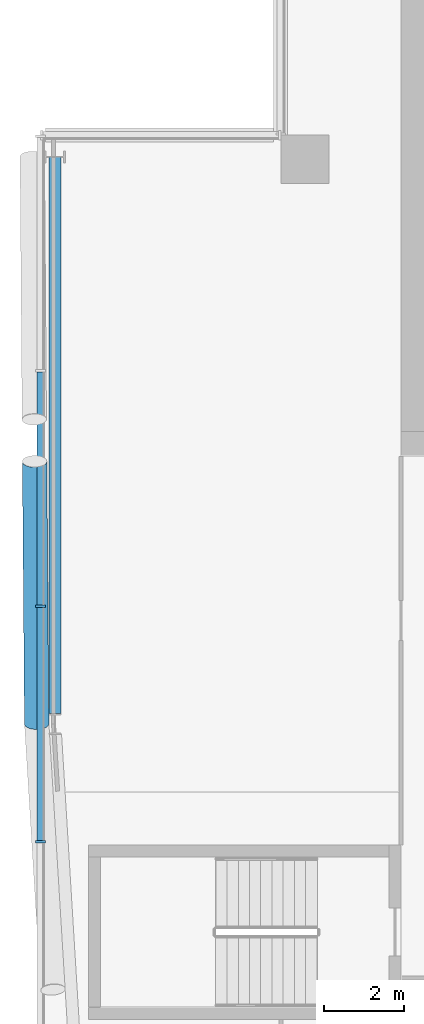
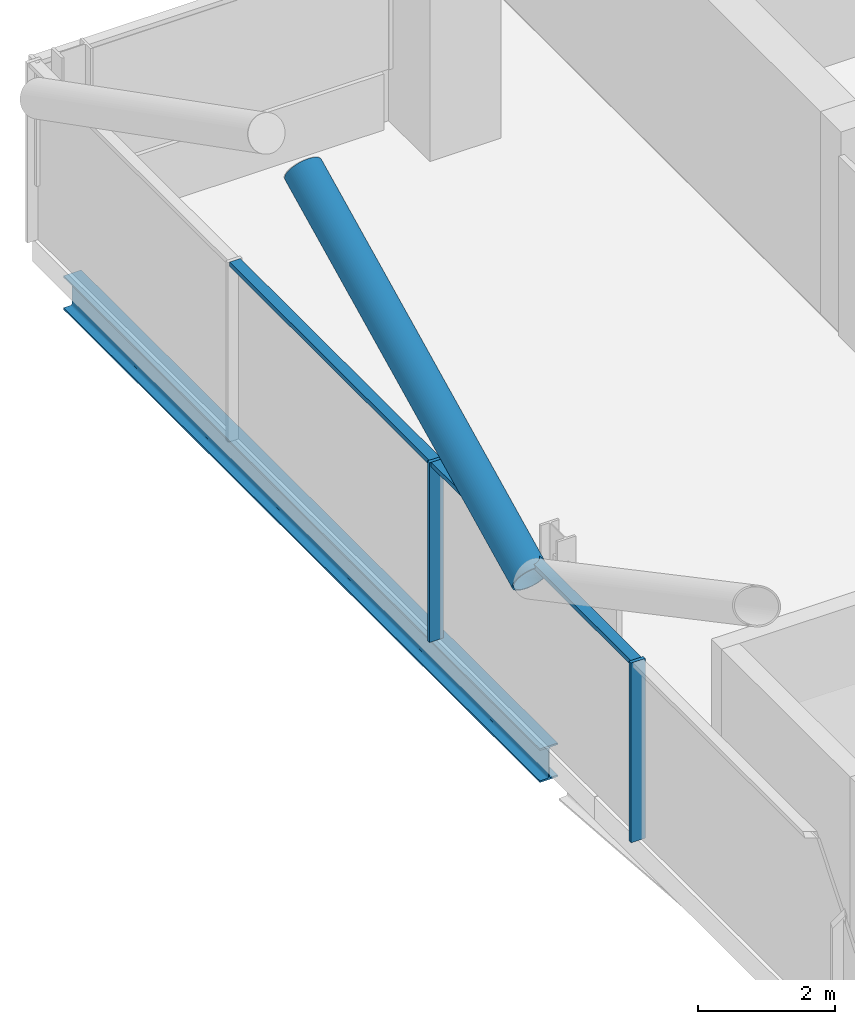
# One storey, part 7 of 25: 5 members, 1 beam, 1 element without a shape of its own.
"""IFC4 building model written with IfcOpenShell, lengths in metres."""

import ifcopenshell
import ifcopenshell.guid

model = None  # the IFC model being written
_history = None  # IfcOwnerHistory: only IFC2X3 demands one
_inside = {}  # id of a spatial element -> (the spatial element, [elements in it])
_under = {}  # id of a project, library or spatial element -> (it, [spatial elements below it])
_declared = {}  # id of a project -> (the project, [libraries it declares])
_typed = {}  # id of a type object -> (the type object, [elements of that type])
_made_of = {}  # id of a material, layer set ... -> (it, [elements and type objects made of it])


def new_model(schema):
    """Start an empty IFC model of exactly this schema.

    Asked for "IFC4X3", IfcOpenShell would pick the latest addendum, in which some entities
    have other attributes; the version numbers below select the first issue.
    IFC2X3 requires an IfcOwnerHistory on every rooted entity: one is made here for all.
    """
    global model, _history
    if schema == "IFC4X3":
        model = ifcopenshell.file(schema_version=(4, 3, 0, 0))
    else:
        model = ifcopenshell.file(schema=schema)
    _inside.clear()
    _under.clear()
    _declared.clear()
    _typed.clear()
    _made_of.clear()
    _history = None
    if model.schema == "IFC2X3":
        org = make("IfcOrganization", Name="unknown")
        user = make(
            "IfcPersonAndOrganization",
            ThePerson=make("IfcPerson", FamilyName="unknown"),
            TheOrganization=org,
        )
        app = make(
            "IfcApplication",
            ApplicationDeveloper=org,
            Version="unknown",
            ApplicationFullName="unknown",
            ApplicationIdentifier="unknown",
        )
        _history = make(
            "IfcOwnerHistory",
            OwningUser=user,
            OwningApplication=app,
            ChangeAction="ADDED",
            CreationDate=0,
        )
    return model


def make(cls, **values):
    """One entity of the class cls with the attributes given. An attribute that is None is left unset."""
    return model.create_entity(
        cls, **{name: value for name, value in values.items() if value is not None}
    )


def rooted(cls, **values):
    """An entity with a GlobalId (a new one), such as an element, a storey or a relation."""
    return make(cls, GlobalId=ifcopenshell.guid.new(), OwnerHistory=_history, **values)


def si_unit(unit_type, name, prefix=None):
    """IfcSIUnit, for example si_unit("LENGTHUNIT", "METRE", prefix="MILLI")."""
    return make("IfcSIUnit", UnitType=unit_type, Prefix=prefix, Name=name)


def assignment(units):
    """IfcUnitAssignment: the units of a project."""
    return None if units is None else make("IfcUnitAssignment", Units=units)


def point(xyz):
    """IfcCartesianPoint."""
    return None if xyz is None else make("IfcCartesianPoint", Coordinates=xyz)


def direction(xyz):
    """IfcDirection."""
    return None if xyz is None else make("IfcDirection", DirectionRatios=xyz)


def frame(location, z_axis=None, x_axis=None):
    """IfcAxis2Placement3D, a coordinate frame: its origin and axes. An axis left out is left unset."""
    return make(
        "IfcAxis2Placement3D",
        Location=point(location),
        Axis=direction(z_axis),
        RefDirection=direction(x_axis),
    )


def frame_2d(location, x_axis=None):
    """IfcAxis2Placement2D, a coordinate frame in the plane: its origin and x axis."""
    return make(
        "IfcAxis2Placement2D", Location=point(location), RefDirection=direction(x_axis)
    )


def origin():
    """The frame at (0, 0, 0) with its axes left unset."""
    return frame((0.0, 0.0, 0.0))


def origin_2d():
    """The frame at (0, 0) in the plane with its x axis left unset."""
    return frame_2d((0.0, 0.0))


def place(relative_to, where):
    """IfcLocalPlacement: puts the frame where relative to a parent placement (None: the world)."""
    return make(
        "IfcLocalPlacement", PlacementRelTo=relative_to, RelativePlacement=where
    )


def context(
    kind, dimensions, precision=None, world=None, true_north=None, identifier=None
):
    """IfcGeometricRepresentationContext, for example the 3D "Model" context."""
    return make(
        "IfcGeometricRepresentationContext",
        ContextIdentifier=identifier,
        ContextType=kind,
        CoordinateSpaceDimension=dimensions,
        Precision=precision,
        WorldCoordinateSystem=world,
        TrueNorth=true_north,
    )


def subcontext(parent, identifier, kind, view, scale=None):
    """IfcGeometricRepresentationSubContext, for example "Body" below "Model"."""
    return make(
        "IfcGeometricRepresentationSubContext",
        ContextIdentifier=identifier,
        ContextType=kind,
        ParentContext=parent,
        TargetScale=scale,
        TargetView=view,
    )


def project(units=None, contexts=None):
    """IfcProject with its units and contexts."""
    return rooted(
        "IfcProject",
        Name="project",
        RepresentationContexts=contexts,
        UnitsInContext=assignment(units),
    )


def spatial(cls, under=None, at=None, **own):
    """A site, building, storey or space (cls), placed at a placement, below another one or the project."""
    s = rooted(cls, ObjectPlacement=at, **own)
    if under is not None:
        _under.setdefault(under.id(), (under, []))[1].append(s)
    return s


def profile(cls, at=None, kind="AREA", **sizes):
    """A parametric profile (cls). Its sizes go by their IFC names, for example OverallWidth=200.0."""
    return make(cls, ProfileType=kind, Position=at, **sizes)


def rectangle(**sizes):
    """IfcRectangleProfileDef."""
    return profile("IfcRectangleProfileDef", **sizes)


def hollow_circle(**sizes):
    """IfcCircleHollowProfileDef."""
    return profile("IfcCircleHollowProfileDef", **sizes)


def i_section(**sizes):
    """IfcIShapeProfileDef."""
    return profile("IfcIShapeProfileDef", **sizes)


def extrude(swept, where, along, depth):
    """IfcExtrudedAreaSolid: the profile swept, set in the frame where, extruded along a direction by depth."""
    return make(
        "IfcExtrudedAreaSolid",
        SweptArea=swept,
        Position=where,
        ExtrudedDirection=direction(along),
        Depth=depth,
    )


def shape(context_of_items, identifier, shape_type, items):
    """IfcShapeRepresentation: the items that make up one representation, for example the "Body"."""
    return make(
        "IfcShapeRepresentation",
        ContextOfItems=context_of_items,
        RepresentationIdentifier=identifier,
        RepresentationType=shape_type,
        Items=items,
    )


def material(Name=None, Category=None):
    """IfcMaterial."""
    return make("IfcMaterial", Name=Name, Category=Category)


def material_profile(
    of_material, cross_section, Name=None, Category=None, Priority=None
):
    """IfcMaterialProfile: a cross section and its material."""
    return make(
        "IfcMaterialProfile",
        Name=Name,
        Material=of_material,
        Profile=cross_section,
        Priority=Priority,
        Category=Category,
    )


def profile_set(profiles, Name=None, composite=None):
    """IfcMaterialProfileSet."""
    return make(
        "IfcMaterialProfileSet",
        Name=Name,
        MaterialProfiles=profiles,
        CompositeProfile=composite,
    )


def made_of(thing, what):
    """Note that an element or type object is made of a material, layer set ...; save() writes the relation."""
    if what is not None:
        _made_of.setdefault(what.id(), (what, []))[1].append(thing)
    return thing


def type_object(cls, material=None, **own):
    """A type object (cls), such as IfcWallType, which elements share."""
    return made_of(rooted(cls, **own), material)


def element(
    cls,
    number,
    at=None,
    inside=None,
    cuts=None,
    type_object=None,
    material=None,
    context=None,
    identifier="Body",
    shape_type=None,
    held_by="IfcProductDefinitionShape",
    body=None,
    shapes=None,
    **own,
):
    """One element of the class cls, such as IfcWall. Its Tag is "e" and its number.

    at: its placement. inside: the storey or other place that contains it. cuts: it is an
    opening in that element (IfcRelVoidsElement). A single representation is given by context,
    identifier, shape_type and body (its items); several are given by shapes. held_by: the class
    of the entity that holds the representations. save() writes the other relations.
    """
    e = rooted(cls, Tag="e%d" % number, ObjectPlacement=at, **own)
    if body is not None:
        shapes = [shape(context, identifier, shape_type, body)]
    if shapes is not None:
        e.Representation = make(held_by, Representations=shapes)
    if inside is not None:
        _inside.setdefault(inside.id(), (inside, []))[1].append(e)
    if cuts is not None:
        rooted(
            "IfcRelVoidsElement", RelatingBuildingElement=cuts, RelatedOpeningElement=e
        )
    if type_object is not None:
        _typed.setdefault(type_object.id(), (type_object, []))[1].append(e)
    return made_of(e, material)


def aggregate(whole, parts):
    """IfcRelAggregates: a whole, such as a stair, and the parts it consists of."""
    return rooted("IfcRelAggregates", RelatingObject=whole, RelatedObjects=parts)


def save(model, path):
    """Write the relations noted so far, then the file.

    IfcRelAggregates (storeys below a building ...), IfcRelContainedInSpatialStructure (elements
    in a storey), IfcRelDefinesByType, IfcRelAssociatesMaterial and IfcRelDeclares: one each for
    every whole, place, type object, material and project.
    """
    for whole, parts in _under.values():
        aggregate(whole, parts)
    for where, things in _inside.values():
        rooted(
            "IfcRelContainedInSpatialStructure",
            RelatedElements=things,
            RelatingStructure=where,
        )
    for kind, things in _typed.values():
        rooted("IfcRelDefinesByType", RelatedObjects=things, RelatingType=kind)
    for what, things in _made_of.values():
        rooted("IfcRelAssociatesMaterial", RelatedObjects=things, RelatingMaterial=what)
    for by, libraries in _declared.values():
        rooted("IfcRelDeclares", RelatingContext=by, RelatedDefinitions=libraries)
    model.write(path)


model = new_model("IFC4")

# Units and contexts
model_context = context("Model", 3, precision=1e-05, world=origin(), true_north=direction((0.0, 1.0)))
body_context = subcontext(model_context, "Body", "Model", "MODEL_VIEW")
ifc_project = project(units=[si_unit("LENGTHUNIT", "METRE"), si_unit("AREAUNIT", "SQUARE_METRE"), si_unit("VOLUMEUNIT", "CUBIC_METRE"), si_unit("PLANEANGLEUNIT", "RADIAN"), si_unit("MASSUNIT", "GRAM", prefix="KILO")], contexts=[model_context])

# Site, building, storey
site_placement = place(None, origin())
site = spatial("IfcSite", under=ifc_project, at=site_placement, CompositionType="ELEMENT")
building_placement = place(site_placement, origin())
building = spatial("IfcBuilding", under=site, at=building_placement, Name="Wharfspan Tower", CompositionType="ELEMENT")
storey_placement = place(building_placement, frame((0.0, 0.0, 225.100098)))
storey = spatial("IfcBuildingStorey", under=building, at=storey_placement, Name="L56", CompositionType="ELEMENT", Elevation=225.100098)

# Beam
ifc_material_1 = material(Name="Steel S355J2", Category="steel")
ifc_material_profile_1 = material_profile(ifc_material_1, i_section(OverallWidth=0.300049, OverallDepth=0.600098, WebThickness=0.015381, FlangeThickness=0.030029, FilletRadius=0.0271, at=origin_2d()))
ifc_profile_set_1 = profile_set([ifc_material_profile_1], Name="Steel S355J2")
beam_type = type_object("IfcBeamType", Name="Edge beam HEB 600", PredefinedType="SPANDREL", material=ifc_profile_set_1)
beam_placement = place(storey_placement, frame((14.356934, 41.453125, -0.700195), z_axis=(0.000211, -1.0, 0.0), x_axis=(1.0, 0.000211, 0.0)))
element("IfcBeam", 1, at=beam_placement, inside=storey, type_object=beam_type, Name="Edge beam W L56 PNRW-H.1 to PW.1", PredefinedType="SPANDREL", context=body_context, shape_type="SweptSolid", body=[
    extrude(i_section(OverallWidth=0.300049, OverallDepth=0.600098, WebThickness=0.015381, FlangeThickness=0.030029, FilletRadius=0.0271, at=origin_2d()), origin(), (0.0, 0.0, 1.0), 13.89502),
])

# Curtain wall, members
ifc_material_2 = material(Name="Aluminium 6063-T6", Category="aluminium")
curtain_wall_type = type_object("IfcCurtainWallType", Name="CURTAIN WALL PROW AND END", PredefinedType="NOTDEFINED", material=ifc_material_2)
curtain_wall_placement = place(storey_placement, origin())
curtain_wall = element("IfcCurtainWall", 2, at=curtain_wall_placement, inside=storey, type_object=curtain_wall_type, Name="Curtain wall W", PredefinedType="NOTDEFINED")
ifc_material_profile_2 = material_profile(ifc_material_2, rectangle(XDim=0.23999, YDim=0.060059, at=origin_2d()))
ifc_profile_set_2 = profile_set([ifc_material_profile_2], Name="Aluminium 6063-T6")
member_type_1 = type_object("IfcMemberType", Name="MULLION PROW AND END 60x240", PredefinedType="MULLION", material=ifc_profile_set_2)
member_1_placement = place(storey_placement, frame((14.0, 30.23999, 0.0), z_axis=(0.0, 0.0, 1.0), x_axis=(1.0, 0.0, 0.0)))
member_1 = element("IfcMember", 3, at=member_1_placement, type_object=member_type_1, Name="Curtain wall W mullion 3", PredefinedType="MULLION", context=body_context, shape_type="SweptSolid", body=[
    extrude(rectangle(XDim=0.23999, YDim=0.060059, at=origin_2d()), origin(), (0.0, 0.0, 1.0), 3.199951),
])
member_2_placement = place(storey_placement, frame((14.0, 24.360107, 0.0), z_axis=(0.0, 0.0, 1.0), x_axis=(1.0, 0.0, 0.0)))
member_2 = element("IfcMember", 4, at=member_2_placement, type_object=member_type_1, Name="Curtain wall W mullion 4", PredefinedType="MULLION", context=body_context, shape_type="SweptSolid", body=[
    extrude(rectangle(XDim=0.23999, YDim=0.060059, at=origin_2d()), origin(), (0.0, 0.0, 1.0), 3.199951),
])

# Member
ifc_material_3 = material(Name="Steel S460NH", Category="steel")
ifc_material_profile_3 = material_profile(ifc_material_3, hollow_circle(Radius=0.304932, WallThickness=0.024902, at=origin_2d()))
ifc_profile_set_3 = profile_set([ifc_material_profile_3], Name="Steel S460NH")
member_type_2 = type_object("IfcMemberType", Name="Mega brace CHS 610x25", PredefinedType="BRACE", material=ifc_profile_set_3)
member_3_placement = place(storey_placement, frame((13.905029, 27.300049, 2.899902), z_axis=(-0.007044, 0.891361, 0.45324), x_axis=(-0.999973, -0.007904, 3e-06)))
element("IfcMember", 5, at=member_3_placement, inside=storey, type_object=member_type_2, Name="Mega brace W3 L57 part 3", PredefinedType="BRACE", context=body_context, shape_type="SweptSolid", body=[
    extrude(hollow_circle(Radius=0.304932, WallThickness=0.024902, at=origin_2d()), origin(), (0.0, 0.0, 1.0), 7.347168),
])

ifc_material_profile_4 = material_profile(ifc_material_2, rectangle(XDim=0.179932, YDim=0.080078, at=origin_2d()))
ifc_profile_set_4 = profile_set([ifc_material_profile_4], Name="Aluminium 6063-T6")
member_type_3 = type_object("IfcMemberType", Name="TRANSOM PROW AND END 80x180", PredefinedType="USERDEFINED", material=ifc_profile_set_4)
member_4_placement = place(storey_placement, frame((14.0, 36.090088, 3.159912), z_axis=(0.0, -1.0, 0.0), x_axis=(1.0, 0.0, 0.0)))
member_4 = element("IfcMember", 6, at=member_4_placement, type_object=member_type_3, Name="Curtain wall W transom 2", ObjectType="TRANSOM", PredefinedType="USERDEFINED", context=body_context, shape_type="SweptSolid", body=[
    extrude(rectangle(XDim=0.179932, YDim=0.080078, at=origin_2d()), origin(), (0.0, 0.0, 1.0), 5.820068),
])

member_5_placement = place(storey_placement, frame((14.0, 30.209961, 3.159912), z_axis=(0.0, -1.0, 0.0), x_axis=(1.0, 0.0, 0.0)))
member_5 = element("IfcMember", 7, at=member_5_placement, type_object=member_type_3, Name="Curtain wall W transom 3", ObjectType="TRANSOM", PredefinedType="USERDEFINED", context=body_context, shape_type="SweptSolid", body=[
    extrude(rectangle(XDim=0.179932, YDim=0.080078, at=origin_2d()), origin(), (0.0, 0.0, 1.0), 5.820068),
])

aggregate(curtain_wall, [member_1, member_2, member_4, member_5])

save(model, "model.ifc")
